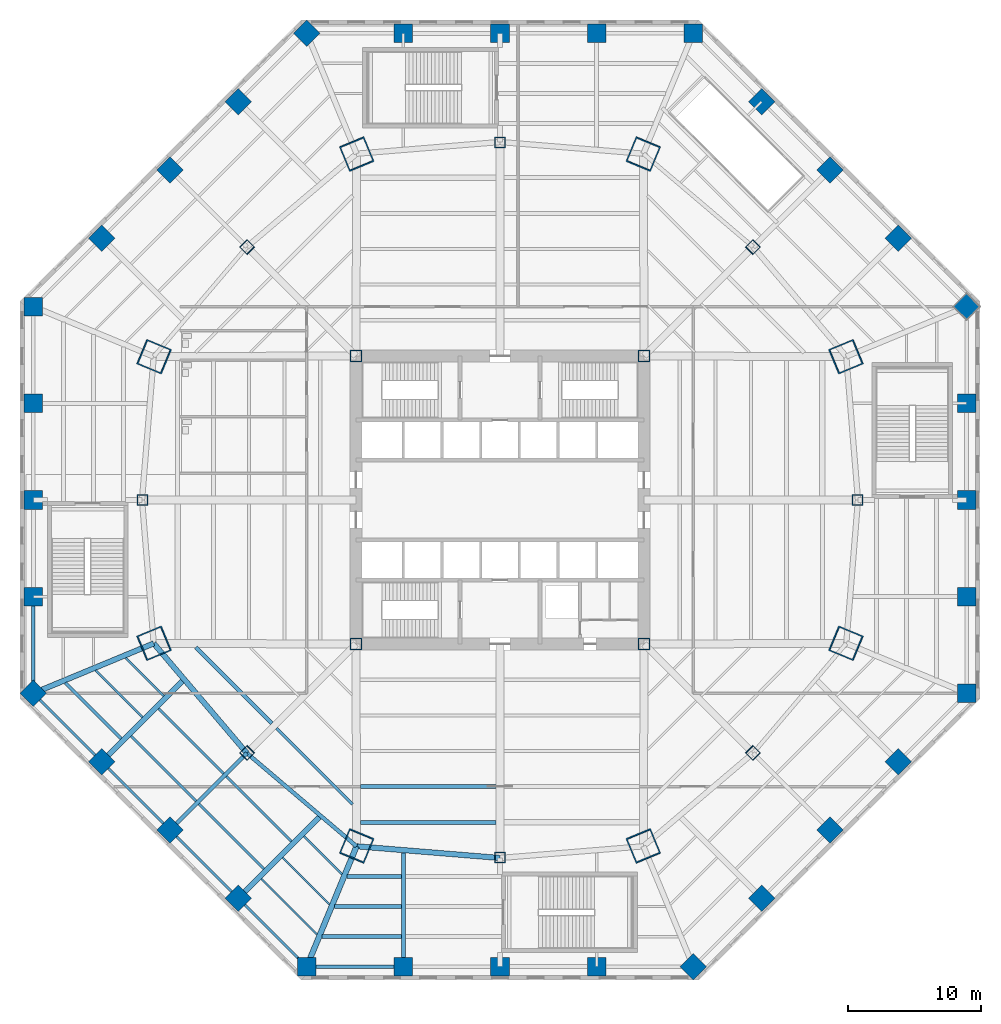
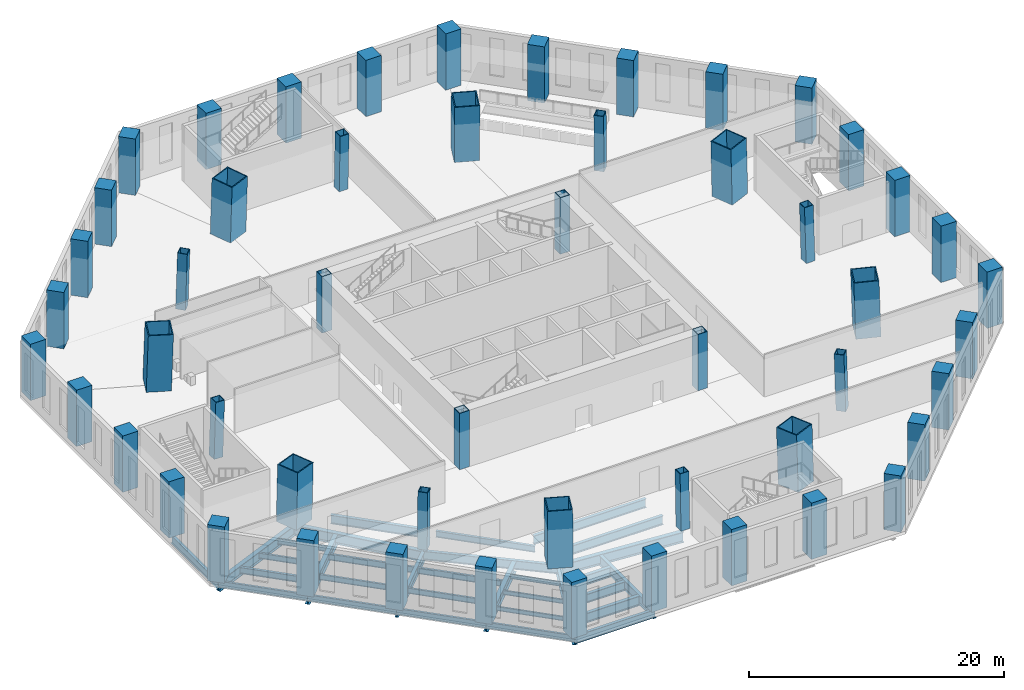
# One storey, part 1 of 18: 52 columns, 32 beams.
"""IFC4 building model written with IfcOpenShell, lengths in metres."""

from ifc_helpers import new_model, si_unit, direction, frame, origin, origin_2d, place, context, subcontext, project, spatial, rectangle, hollow_rectangle, i_section, extrude, material, material_profile, profile_set, type_object, element, save


model = new_model("IFC4")

# Units and contexts
model_context = context("Model", 3, precision=1e-05, world=origin(), true_north=direction((0.0, 1.0)))
body_context = subcontext(model_context, "Body", "Model", "MODEL_VIEW")
ifc_project = project(units=[si_unit("LENGTHUNIT", "METRE"), si_unit("AREAUNIT", "SQUARE_METRE"), si_unit("VOLUMEUNIT", "CUBIC_METRE"), si_unit("PLANEANGLEUNIT", "RADIAN"), si_unit("MASSUNIT", "GRAM", prefix="KILO")], contexts=[model_context])

# Site, building, storey
site_placement = place(None, origin())
site = spatial("IfcSite", under=ifc_project, at=site_placement, CompositionType="ELEMENT")
building_placement = place(site_placement, origin())
building = spatial("IfcBuilding", under=site, at=building_placement, Name="Mashrafa Tower", CompositionType="ELEMENT")
storey_placement = place(building_placement, frame((0.0, 0.0, 13.199951171875)))
storey = spatial("IfcBuildingStorey", under=building, at=storey_placement, Name="L02", CompositionType="ELEMENT", Elevation=13.199951171875)

# Columns
ifc_material_1 = material(Name="Steel ASTM A572 Gr 50", Category="steel")
ifc_material_profile_1 = material_profile(ifc_material_1, hollow_rectangle(XDim=0.89990234375, YDim=0.89990234375, WallThickness=0.06005859375, at=origin_2d()), Name="BOX900X900X60")
ifc_profile_set_1 = profile_set([ifc_material_profile_1], Name="Steel ASTM A572 Gr 50")
column_type_1 = type_object("IfcColumnType", Name="Core corner column BOX900X900X60", PredefinedType="COLUMN", material=ifc_profile_set_1)
for number, where, z_axis, x_axis, name in (
    (1, (10.800048828125, 10.800048828125, 0.0), (0.0, 0.0, 1.0), (1.0, 0.0, 0.0), "Core corner column CC-NE L02"),
    (2, (-10.800048828125, 10.800048828125, 0.0), (0.0, 0.0, 1.0), (1.0, 0.0, 0.0), "Core corner column CC-NW L02"),
    (3, (-10.800048828125, -10.800048828125, 0.0), (0.0, 0.0, 1.0), (1.0, 0.0, 0.0), "Core corner column CC-SW L02"),
    (4, (10.800048828125, -10.800048828125, 0.0), (0.0, 0.0, 1.0), (1.0, 0.0, 0.0), "Core corner column CC-SE L02"),
):
    element("IfcColumn", number, at=place(storey_placement, frame(where, z_axis=z_axis, x_axis=x_axis)), inside=storey, type_object=column_type_1, Name=name, PredefinedType="COLUMN", context=body_context, shape_type="SweptSolid", body=[
        extrude(hollow_rectangle(XDim=0.89990234375, YDim=0.89990234375, WallThickness=0.06005859375, at=origin_2d()), origin(), (0.0, 0.0, 1.0), 5.400146484375),
    ])
ifc_material_2 = material(Name="Steel ASTM A572 Gr 50", Category="steel")
ifc_material_profile_2 = material_profile(ifc_material_2, hollow_rectangle(XDim=2.0, YDim=2.0, WallThickness=0.090087890625, at=origin_2d()), Name="BOX2000X2000X90")
ifc_profile_set_2 = profile_set([ifc_material_profile_2], Name="Steel ASTM A572 Gr 50")
column_type_2 = type_object("IfcColumnType", Name="Mega column CFST BOX2000X2000X90", PredefinedType="COLUMN", material=ifc_profile_set_2)
for number, where, z_axis, x_axis, name in (
    (5, (25.963134765625, 10.754150390625, 0.0), (-0.028288195063, -0.011703901791, 0.999531288506), (0.3823083337, -0.92403481427, 0.0), "Mega column MC1 L02"),
    (6, (10.754150390625, 25.963134765625, 0.0), (-0.011703901791, -0.028288195063, 0.999531288506), (0.92403481427, -0.3823083337, 0.0), "Mega column MC2 L02"),
    (7, (-10.754150390625, 25.963134765625, 0.0), (0.011703901791, -0.028288195063, 0.999531288506), (0.92403481427, 0.3823083337, 0.0), "Mega column MC3 L02"),
    (8, (-25.963134765625, 10.754150390625, 0.0), (0.028288195063, -0.011703901791, 0.999531288506), (0.3823083337, 0.92403481427, 0.0), "Mega column MC4 L02"),
    (9, (-25.963134765625, -10.754150390625, 0.0), (0.028288195063, 0.011703901791, 0.999531288506), (-0.3823083337, 0.92403481427, 0.0), "Mega column MC5 L02"),
    (10, (-10.754150390625, -25.963134765625, 0.0), (0.011703901791, 0.028288195063, 0.999531288506), (-0.92403481427, 0.3823083337, 0.0), "Mega column MC6 L02"),
    (11, (10.754150390625, -25.963134765625, 0.0), (-0.011703901791, 0.028288195063, 0.999531288506), (-0.92403481427, -0.3823083337, 0.0), "Mega column MC7 L02"),
    (12, (25.963134765625, -10.754150390625, 0.0), (-0.028288195063, 0.011703901791, 0.999531288506), (-0.3823083337, -0.92403481427, 0.0), "Mega column MC8 L02"),
):
    element("IfcColumn", number, at=place(storey_placement, frame(where, z_axis=z_axis, x_axis=x_axis)), inside=storey, type_object=column_type_2, Name=name, PredefinedType="COLUMN", context=body_context, shape_type="SweptSolid", body=[
        extrude(hollow_rectangle(XDim=2.0, YDim=2.0, WallThickness=0.090087890625, at=origin_2d()), origin(), (0.0, 0.0, 1.0), 5.402587890625),
    ])
ifc_material_3 = material(Name="Concrete C50/60", Category="concrete")
ifc_material_profile_3 = material_profile(ifc_material_3, rectangle(XDim=1.39990234375, YDim=1.39990234375, at=origin_2d()), Name="RC1400X1400")
ifc_profile_set_3 = profile_set([ifc_material_profile_3], Name="Concrete C50/60")
column_type_3 = type_object("IfcColumnType", Name="Podium column RC1400X1400", PredefinedType="COLUMN", material=ifc_profile_set_3)
for number, where, z_axis, x_axis, name in (
    (13, (35.0, -14.49755859375, 0.0), (0.0, 0.0, 1.0), (1.0, 0.0, 0.0), "Podium column PC01 L02"),
    (14, (35.0, -7.248779296875, 0.0), (0.0, 0.0, 1.0), (1.0, 0.0, 0.0), "Podium column PC02 L02"),
    (15, (35.0, 0.0, 0.0), (0.0, 0.0, 1.0), (1.0, 0.0, 0.0), "Podium column PC03 L02"),
    (16, (35.0, 7.248779296875, 0.0), (0.0, 0.0, 1.0), (1.0, 0.0, 0.0), "Podium column PC04 L02"),
    (17, (35.0, 14.49755859375, 0.0), (0.0, 0.0, 1.0), (0.707106781187, 0.707106781187, 0.0), "Podium column PC05 L02"),
    (18, (29.874267578125, 19.623046875, 0.0), (0.0, 0.0, 1.0), (0.707106781187, 0.707106781187, 0.0), "Podium column PC06 L02"),
    (19, (24.748779296875, 24.748779296875, 0.0), (0.0, 0.0, 1.0), (0.707106781187, 0.707106781187, 0.0), "Podium column PC07 L02"),
    (20, (19.623046875, 29.874267578125, 0.0), (0.0, 0.0, 1.0), (0.707106781187, 0.707106781187, 0.0), "Podium column PC08 L02"),
    (21, (14.49755859375, 35.0, 0.0), (0.0, 0.0, 1.0), (1.0, 0.0, 0.0), "Podium column PC09 L02"),
    (22, (7.248779296875, 35.0, 0.0), (0.0, 0.0, 1.0), (1.0, 0.0, 0.0), "Podium column PC10 L02"),
    (23, (0.0, 35.0, 0.0), (0.0, 0.0, 1.0), (1.0, 0.0, 0.0), "Podium column PC11 L02"),
    (24, (-7.248779296875, 35.0, 0.0), (0.0, 0.0, 1.0), (1.0, 0.0, 0.0), "Podium column PC12 L02"),
    (25, (-14.49755859375, 35.0, 0.0), (0.0, 0.0, 1.0), (0.707106781187, 0.707106781187, 0.0), "Podium column PC13 L02"),
    (26, (-19.623046875, 29.874267578125, 0.0), (0.0, 0.0, 1.0), (0.707106781187, 0.707106781187, 0.0), "Podium column PC14 L02"),
    (27, (-24.748779296875, 24.748779296875, 0.0), (0.0, 0.0, 1.0), (0.707106781187, 0.707106781187, 0.0), "Podium column PC15 L02"),
    (28, (-29.874267578125, 19.623046875, 0.0), (0.0, 0.0, 1.0), (0.707106781187, 0.707106781187, 0.0), "Podium column PC16 L02"),
    (29, (-35.0, 14.49755859375, 0.0), (0.0, 0.0, 1.0), (1.0, 0.0, 0.0), "Podium column PC17 L02"),
    (30, (-35.0, 7.248779296875, 0.0), (0.0, 0.0, 1.0), (1.0, 0.0, 0.0), "Podium column PC18 L02"),
    (31, (-35.0, 0.0, 0.0), (0.0, 0.0, 1.0), (1.0, 0.0, 0.0), "Podium column PC19 L02"),
    (32, (-35.0, -7.248779296875, 0.0), (0.0, 0.0, 1.0), (1.0, 0.0, 0.0), "Podium column PC20 L02"),
    (33, (-35.0, -14.49755859375, 0.0), (0.0, 0.0, 1.0), (0.707106781187, 0.707106781187, 0.0), "Podium column PC21 L02"),
    (34, (-29.874267578125, -19.623046875, 0.0), (0.0, 0.0, 1.0), (0.707106781187, 0.707106781187, 0.0), "Podium column PC22 L02"),
    (35, (-24.748779296875, -24.748779296875, 0.0), (0.0, 0.0, 1.0), (0.707106781187, 0.707106781187, 0.0), "Podium column PC23 L02"),
    (36, (-19.623046875, -29.874267578125, 0.0), (0.0, 0.0, 1.0), (0.707106781187, 0.707106781187, 0.0), "Podium column PC24 L02"),
    (37, (-14.49755859375, -35.0, 0.0), (0.0, 0.0, 1.0), (1.0, 0.0, 0.0), "Podium column PC25 L02"),
    (38, (-7.248779296875, -35.0, 0.0), (0.0, 0.0, 1.0), (1.0, 0.0, 0.0), "Podium column PC26 L02"),
    (39, (0.0, -35.0, 0.0), (0.0, 0.0, 1.0), (1.0, 0.0, 0.0), "Podium column PC27 L02"),
    (40, (7.248779296875, -35.0, 0.0), (0.0, 0.0, 1.0), (1.0, 0.0, 0.0), "Podium column PC28 L02"),
    (41, (14.49755859375, -35.0, 0.0), (0.0, 0.0, 1.0), (0.707106781187, 0.707106781187, 0.0), "Podium column PC29 L02"),
    (42, (19.623046875, -29.874267578125, 0.0), (0.0, 0.0, 1.0), (0.707106781187, 0.707106781187, 0.0), "Podium column PC30 L02"),
    (43, (24.748779296875, -24.748779296875, 0.0), (0.0, 0.0, 1.0), (0.707106781187, 0.707106781187, 0.0), "Podium column PC31 L02"),
    (44, (29.874267578125, -19.623046875, 0.0), (0.0, 0.0, 1.0), (0.707106781187, 0.707106781187, 0.0), "Podium column PC32 L02"),
):
    element("IfcColumn", number, at=place(storey_placement, frame(where, z_axis=z_axis, x_axis=x_axis)), inside=storey, type_object=column_type_3, Name=name, PredefinedType="COLUMN", context=body_context, shape_type="SweptSolid", body=[
        extrude(rectangle(XDim=1.39990234375, YDim=1.39990234375, at=origin_2d()), origin(), (0.0, 0.0, 1.0), 5.400146484375),
    ])
ifc_material_4 = material(Name="Steel ASTM A572 Gr 50", Category="steel")
ifc_material_profile_4 = material_profile(ifc_material_4, hollow_rectangle(XDim=0.800048828125, YDim=0.800048828125, WallThickness=0.050048828125, at=origin_2d()), Name="BOX800X800X50")
ifc_profile_set_4 = profile_set([ifc_material_profile_4], Name="Steel ASTM A572 Gr 50")
column_type_4 = type_object("IfcColumnType", Name="Secondary column BOX800X800X50", PredefinedType="COLUMN", material=ifc_profile_set_4)
for number, where, z_axis, x_axis, name in (
    (45, (26.84130859375, 0.0, 0.0), (-0.028290132739, 0.0, 0.999599754096), (0.0, -1.0, 0.0), "Secondary column SC1 L02"),
    (46, (18.979736328125, 18.979736328125, 0.0), (-0.020020001347, -0.020020001347, 0.999599119193), (0.707106781187, -0.707106781187, 0.0), "Secondary column SC2 L02"),
    (47, (0.0, 26.84130859375, 0.0), (0.0, -0.028290132739, 0.999599754096), (1.0, 0.0, 0.0), "Secondary column SC3 L02"),
    (48, (-18.979736328125, 18.979736328125, 0.0), (0.020020001347, -0.020020001347, 0.999599119193), (0.707106781187, 0.707106781187, 0.0), "Secondary column SC4 L02"),
    (49, (-26.84130859375, 0.0, 0.0), (0.028290132739, 0.0, 0.999599754096), (0.0, 1.0, 0.0), "Secondary column SC5 L02"),
    (50, (-18.979736328125, -18.979736328125, 0.0), (0.020020001347, 0.020020001347, 0.999599119193), (-0.707106781187, 0.707106781187, 0.0), "Secondary column SC6 L02"),
    (51, (0.0, -26.84130859375, 0.0), (0.0, 0.028290132739, 0.999599754096), (-1.0, 0.0, 0.0), "Secondary column SC7 L02"),
    (52, (18.979736328125, -18.979736328125, 0.0), (-0.020020001347, 0.020020001347, 0.999599119193), (-0.707106781187, -0.707106781187, 0.0), "Secondary column SC8 L02"),
):
    element("IfcColumn", number, at=place(storey_placement, frame(where, z_axis=z_axis, x_axis=x_axis)), inside=storey, type_object=column_type_4, Name=name, PredefinedType="COLUMN", context=body_context, shape_type="SweptSolid", body=[
        extrude(hollow_rectangle(XDim=0.800048828125, YDim=0.800048828125, WallThickness=0.050048828125, at=origin_2d()), origin(), (0.0, 0.0, 1.0), 5.40234375),
    ])

# Beams
ifc_material_5 = material(Name="Steel ASTM A992", Category="steel")
ifc_material_profile_5 = material_profile(ifc_material_5, i_section(OverallWidth=0.140380859375, OverallDepth=0.40380859375, WebThickness=0.007080078125, FlangeThickness=0.01123046875, FilletRadius=0.01025390625, at=origin_2d()), Name="W16X31")
ifc_profile_set_5 = profile_set([ifc_material_profile_5], Name="Steel ASTM A992")
beam_type_1 = type_object("IfcBeamType", Name="Beam W16X31", PredefinedType="BEAM", material=ifc_profile_set_5)
beam_1_placement = place(storey_placement, frame((-13.722900390625, -32.58251953125, -0.501953125), z_axis=(-0.707127518976, 0.707086042789, 0.0), x_axis=(-0.707086042789, -0.707127518976, 0.0)))
element("IfcBeam", 53, at=beam_1_placement, inside=storey, type_object=beam_type_1, Name="Floor beam L02 038", PredefinedType="BEAM", context=body_context, shape_type="SweptSolid", body=[
    extrude(i_section(OverallWidth=0.140380859375, OverallDepth=0.40380859375, WebThickness=0.007080078125, FlangeThickness=0.01123046875, FilletRadius=0.01025390625, at=origin_2d()), origin(), (0.0, 0.0, 1.0), 5.88623046875),
])
beam_2_placement = place(storey_placement, frame((-12.7880859375, -30.325439453125, -0.501953125), z_axis=(-0.707106781187, 0.707106781187, 0.0), x_axis=(-0.707106781187, -0.707106781187, 0.0)))
element("IfcBeam", 54, at=beam_2_placement, inside=storey, type_object=beam_type_1, Name="Floor beam L02 044", PredefinedType="BEAM", context=body_context, shape_type="SweptSolid", body=[
    extrude(i_section(OverallWidth=0.140380859375, OverallDepth=0.40380859375, WebThickness=0.007080078125, FlangeThickness=0.01123046875, FilletRadius=0.01025390625, at=origin_2d()), origin(), (0.0, 0.0, 1.0), 4.951416015625),
])
beam_3_placement = place(storey_placement, frame((-11.85302734375, -28.068359375, -0.501953125), z_axis=(-0.707106781187, 0.707106781187, 0.0), x_axis=(-0.707106781187, -0.707106781187, 0.0)))
element("IfcBeam", 55, at=beam_3_placement, inside=storey, type_object=beam_type_1, Name="Floor beam L02 046", PredefinedType="BEAM", context=body_context, shape_type="SweptSolid", body=[
    extrude(i_section(OverallWidth=0.140380859375, OverallDepth=0.40380859375, WebThickness=0.007080078125, FlangeThickness=0.01123046875, FilletRadius=0.01025390625, at=origin_2d()), origin(), (0.0, 0.0, 1.0), 4.0166015625),
])
ifc_material_6 = material(Name="Steel ASTM A992", Category="steel")
ifc_material_profile_6 = material_profile(ifc_material_6, i_section(OverallWidth=0.1650390625, OverallDepth=0.52587890625, WebThickness=0.0087890625, FlangeThickness=0.011474609375, FilletRadius=0.0126953125, at=origin_2d()), Name="W21X44")
ifc_profile_set_6 = profile_set([ifc_material_profile_6], Name="Steel ASTM A992")
beam_type_2 = type_object("IfcBeamType", Name="Beam W21X44", PredefinedType="BEAM", material=ifc_profile_set_6)
for number, where, z_axis, x_axis, name in (
    (56, (-22.796875, -22.57958984375, -0.562744140625), (-0.707124486521, 0.707089075409, 0.0), (-0.707089075409, -0.707124486521, 0.0), "Floor beam L02 017"),
    (57, (-17.70458984375, -27.672119140625, -0.562744140625), (-0.707089075409, 0.707124486521, 0.0), (-0.707124486521, -0.707089075409, 0.0), "Floor beam L02 027"),
):
    element("IfcBeam", number, at=place(storey_placement, frame(where, z_axis=z_axis, x_axis=x_axis)), inside=storey, type_object=beam_type_2, Name=name, PredefinedType="BEAM", context=body_context, shape_type="SweptSolid", body=[
        extrude(i_section(OverallWidth=0.1650390625, OverallDepth=0.52587890625, WebThickness=0.0087890625, FlangeThickness=0.011474609375, FilletRadius=0.0126953125, at=origin_2d()), origin(), (0.0, 0.0, 1.0), 6.89453125),
    ])
ifc_material_7 = material(Name="Steel ASTM A992", Category="steel")
ifc_material_profile_7 = material_profile(ifc_material_7, i_section(OverallWidth=0.165771484375, OverallDepth=0.5283203125, WebThickness=0.009765625, FlangeThickness=0.013671875, FilletRadius=0.012939453125, at=origin_2d()), Name="W21X50")
ifc_profile_set_7 = profile_set([ifc_material_profile_7], Name="Steel ASTM A992")
beam_type_3 = type_object("IfcBeamType", Name="Beam W21X50", PredefinedType="BEAM", material=ifc_profile_set_7)
beam_4_placement = place(storey_placement, frame((-26.82421875, -16.289306640625, -0.564208984375), z_axis=(-0.707106781187, 0.707106781187, 0.0), x_axis=(-0.707106781187, -0.707106781187, 0.0)))
element("IfcBeam", 58, at=beam_4_placement, inside=storey, type_object=beam_type_3, Name="Floor beam L02 011", PredefinedType="BEAM", context=body_context, shape_type="SweptSolid", body=[
    extrude(i_section(OverallWidth=0.165771484375, OverallDepth=0.5283203125, WebThickness=0.009765625, FlangeThickness=0.013671875, FilletRadius=0.012939453125, at=origin_2d()), origin(), (0.0, 0.0, 1.0), 4.961181640625),
])
beam_5_placement = place(storey_placement, frame((-25.228271484375, -14.693115234375, -0.564208984375), z_axis=(-0.707106781187, 0.707106781187, 0.0), x_axis=(-0.707106781187, -0.707106781187, 0.0)))
element("IfcBeam", 59, at=beam_5_placement, inside=storey, type_object=beam_type_3, Name="Floor beam L02 013", PredefinedType="BEAM", context=body_context, shape_type="SweptSolid", body=[
    extrude(i_section(OverallWidth=0.165771484375, OverallDepth=0.5283203125, WebThickness=0.009765625, FlangeThickness=0.013671875, FilletRadius=0.012939453125, at=origin_2d()), origin(), (0.0, 0.0, 1.0), 4.026123046875),
])
ifc_material_8 = material(Name="Steel ASTM A992", Category="steel")
ifc_material_profile_8 = material_profile(ifc_material_8, i_section(OverallWidth=0.177978515625, OverallDepth=0.599365234375, WebThickness=0.010009765625, FlangeThickness=0.012939453125, FilletRadius=0.012939453125, at=origin_2d()), Name="W24X55")
ifc_profile_set_8 = profile_set([ifc_material_profile_8], Name="Steel ASTM A992")
beam_type_4 = type_object("IfcBeamType", Name="Beam W24X55", PredefinedType="BEAM", material=ifc_profile_set_8)
for number, where, z_axis, x_axis, name in (
    (60, (-20.736572265625, -20.51904296875, -0.599609375), (-0.707106781187, 0.707106781187, 0.0), (-0.707106781187, -0.707106781187, 0.0), "Floor beam L02 021"),
    (61, (-15.64404296875, -25.611572265625, -0.599609375), (-0.707106781187, 0.707106781187, 0.0), (-0.707106781187, -0.707106781187, 0.0), "Floor beam L02 033"),
):
    element("IfcBeam", number, at=place(storey_placement, frame(where, z_axis=z_axis, x_axis=x_axis)), inside=storey, type_object=beam_type_4, Name=name, PredefinedType="BEAM", context=body_context, shape_type="SweptSolid", body=[
        extrude(i_section(OverallWidth=0.177978515625, OverallDepth=0.599365234375, WebThickness=0.010009765625, FlangeThickness=0.012939453125, FilletRadius=0.012939453125, at=origin_2d()), origin(), (0.0, 0.0, 1.0), 6.894287109375),
    ])
beam_6_placement = place(storey_placement, frame((-35.0, -14.49755859375, -0.599609375), z_axis=(0.707106781187, -0.707106781187, 0.0), x_axis=(0.707106781187, 0.707106781187, 0.0)))
element("IfcBeam", 62, at=beam_6_placement, inside=storey, type_object=beam_type_4, Name="Podium edge beam L02 124", PredefinedType="BEAM", context=body_context, shape_type="SweptSolid", body=[
    extrude(i_section(OverallWidth=0.177978515625, OverallDepth=0.599365234375, WebThickness=0.010009765625, FlangeThickness=0.012939453125, FilletRadius=0.012939453125, at=origin_2d()), origin(), (0.0, 0.0, 1.0), 7.24853515625),
])
for number, where, z_axis, x_axis, name in (
    (63, (-29.87451171875, -19.623046875, -0.599609375), (0.707106781187, -0.707106781187, 0.0), (0.707106781187, 0.707106781187, 0.0), "Podium edge beam L02 129"),
    (64, (-24.748779296875, -24.748779296875, -0.599609375), (0.707106781187, -0.707106781187, 0.0), (0.707106781187, 0.707106781187, 0.0), "Podium edge beam L02 131"),
):
    element("IfcBeam", number, at=place(storey_placement, frame(where, z_axis=z_axis, x_axis=x_axis)), inside=storey, type_object=beam_type_4, Name=name, PredefinedType="BEAM", context=body_context, shape_type="SweptSolid", body=[
        extrude(i_section(OverallWidth=0.177978515625, OverallDepth=0.599365234375, WebThickness=0.010009765625, FlangeThickness=0.012939453125, FilletRadius=0.012939453125, at=origin_2d()), origin(), (0.0, 0.0, 1.0), 7.248779296875),
    ])
beam_7_placement = place(storey_placement, frame((-19.623046875, -29.87451171875, -0.599609375), z_axis=(0.707106781187, -0.707106781187, 0.0), x_axis=(0.707106781187, 0.707106781187, 0.0)))
element("IfcBeam", 65, at=beam_7_placement, inside=storey, type_object=beam_type_4, Name="Podium edge beam L02 133", PredefinedType="BEAM", context=body_context, shape_type="SweptSolid", body=[
    extrude(i_section(OverallWidth=0.177978515625, OverallDepth=0.599365234375, WebThickness=0.010009765625, FlangeThickness=0.012939453125, FilletRadius=0.012939453125, at=origin_2d()), origin(), (0.0, 0.0, 1.0), 7.24853515625),
])
ifc_material_9 = material(Name="Steel ASTM A992", Category="steel")
ifc_material_profile_9 = material_profile(ifc_material_9, i_section(OverallWidth=0.227783203125, OverallDepth=0.60205078125, WebThickness=0.010498046875, FlangeThickness=0.014892578125, FilletRadius=0.012939453125, at=origin_2d()), Name="W24X68")
ifc_profile_set_9 = profile_set([ifc_material_profile_9], Name="Steel ASTM A992")
beam_type_5 = type_object("IfcBeamType", Name="Beam W24X68", PredefinedType="BEAM", material=ifc_profile_set_9)
beam_8_placement = place(storey_placement, frame((-28.42041015625, -17.88525390625, -0.600830078125), z_axis=(-0.707106781187, 0.707106781187, 0.0), x_axis=(-0.707106781187, -0.707106781187, 0.0)))
element("IfcBeam", 66, at=beam_8_placement, inside=storey, type_object=beam_type_5, Name="Floor beam L02 007", PredefinedType="BEAM", context=body_context, shape_type="SweptSolid", body=[
    extrude(i_section(OverallWidth=0.227783203125, OverallDepth=0.60205078125, WebThickness=0.010498046875, FlangeThickness=0.014892578125, FilletRadius=0.012939453125, at=origin_2d()), origin(), (0.0, 0.0, 1.0), 5.895751953125),
])
beam_9_placement = place(storey_placement, frame((-11.066650390625, -22.81201171875, -0.600830078125), z_axis=(-0.707106781187, 0.707106781187, 0.0), x_axis=(-0.707106781187, -0.707106781187, 0.0)))
element("IfcBeam", 67, at=beam_9_placement, inside=storey, type_object=beam_type_5, Name="Floor beam L02 053", PredefinedType="BEAM", context=body_context, shape_type="SweptSolid", body=[
    extrude(i_section(OverallWidth=0.227783203125, OverallDepth=0.60205078125, WebThickness=0.010498046875, FlangeThickness=0.014892578125, FilletRadius=0.012939453125, at=origin_2d()), origin(), (0.0, 0.0, 1.0), 8.05517578125),
])
ifc_material_10 = material(Name="Steel ASTM A992", Category="steel")
ifc_material_profile_10 = material_profile(ifc_material_10, i_section(OverallWidth=0.2666015625, OverallDepth=0.75439453125, WebThickness=0.01318359375, FlangeThickness=0.01708984375, FilletRadius=0.0166015625, at=origin_2d()), Name="W30X99")
ifc_profile_set_10 = profile_set([ifc_material_profile_10], Name="Steel ASTM A992")
beam_type_6 = type_object("IfcBeamType", Name="Beam W30X99", PredefinedType="BEAM", material=ifc_profile_set_10)
for number, where, z_axis, x_axis, name in (
    (68, (-35.0, -7.248779296875, -0.67724609375), (0.0, -1.0, 0.0), (1.0, 0.0, 0.0), "Podium edge beam L02 125"),
    (69, (-14.49755859375, -35.0, -0.67724609375), (1.0, 0.0, 0.0), (0.0, 1.0, 0.0), "Podium edge beam L02 135"),
):
    element("IfcBeam", number, at=place(storey_placement, frame(where, z_axis=z_axis, x_axis=x_axis)), inside=storey, type_object=beam_type_6, Name=name, PredefinedType="BEAM", context=body_context, shape_type="SweptSolid", body=[
        extrude(i_section(OverallWidth=0.2666015625, OverallDepth=0.75439453125, WebThickness=0.01318359375, FlangeThickness=0.01708984375, FilletRadius=0.0166015625, at=origin_2d()), origin(), (0.0, 0.0, 1.0), 7.248779296875),
    ])
ifc_material_11 = material(Name="Steel ASTM A992", Category="steel")
ifc_material_profile_11 = material_profile(ifc_material_11, i_section(OverallWidth=0.2919921875, OverallDepth=0.8408203125, WebThickness=0.0146484375, FlangeThickness=0.021728515625, FilletRadius=0.017333984375, at=origin_2d()), Name="W33X130")
ifc_profile_set_11 = profile_set([ifc_material_profile_11], Name="Steel ASTM A992")
beam_type_7 = type_object("IfcBeamType", Name="Beam W33X130", PredefinedType="BEAM", material=ifc_profile_set_11)
beam_10_placement = place(storey_placement, frame((-17.1162109375, -16.762451171875, -0.72021484375), z_axis=(-0.707106781187, 0.707106781187, 0.0), x_axis=(-0.707106781187, -0.707106781187, 0.0)))
element("IfcBeam", 70, at=beam_10_placement, inside=storey, type_object=beam_type_7, Name="Floor beam L02 028", PredefinedType="BEAM", context=body_context, shape_type="SweptSolid", body=[
    extrude(i_section(OverallWidth=0.2919921875, OverallDepth=0.8408203125, WebThickness=0.0146484375, FlangeThickness=0.021728515625, FilletRadius=0.017333984375, at=origin_2d()), origin(), (0.0, 0.0, 1.0), 8.05517578125),
])
beam_11_placement = place(storey_placement, frame((-18.985595703125, -18.985595703125, -0.72021484375), z_axis=(0.762283550977, -0.647243221602, 0.0), x_axis=(0.647243221602, 0.762283550977, 0.0)))
element("IfcBeam", 71, at=beam_11_placement, inside=storey, type_object=beam_type_7, Name="Podium ring girder L02 200", PredefinedType="BEAM", context=body_context, shape_type="SweptSolid", body=[
    extrude(i_section(OverallWidth=0.2919921875, OverallDepth=0.8408203125, WebThickness=0.0146484375, FlangeThickness=0.021728515625, FilletRadius=0.017333984375, at=origin_2d()), origin(), (0.0, 0.0, 1.0), 10.793701171875),
])
ifc_material_12 = material(Name="Steel ASTM A992", Category="steel")
ifc_material_profile_12 = material_profile(ifc_material_12, i_section(OverallWidth=0.2919921875, OverallDepth=0.845703125, WebThickness=0.015380859375, FlangeThickness=0.0244140625, FilletRadius=0.017333984375, at=origin_2d()), Name="W33X141")
ifc_profile_set_12 = profile_set([ifc_material_profile_12], Name="Steel ASTM A992")
beam_type_8 = type_object("IfcBeamType", Name="Beam W33X141", PredefinedType="BEAM", material=ifc_profile_set_12)
beam_12_placement = place(storey_placement, frame((-0.300048828125, -21.5, -0.722900390625), z_axis=(-1.0, 0.0, 0.0), x_axis=(0.0, -1.0, 0.0)))
element("IfcBeam", 72, at=beam_12_placement, inside=storey, type_object=beam_type_8, Name="Floor beam L02 059", PredefinedType="BEAM", context=body_context, shape_type="SweptSolid", body=[
    extrude(i_section(OverallWidth=0.2919921875, OverallDepth=0.845703125, WebThickness=0.015380859375, FlangeThickness=0.0244140625, FilletRadius=0.017333984375, at=origin_2d()), origin(), (0.0, 0.0, 1.0), 10.170166015625),
])
ifc_material_13 = material(Name="Steel ASTM A992", Category="steel")
ifc_material_profile_13 = material_profile(ifc_material_13, i_section(OverallWidth=0.2919921875, OverallDepth=0.8583984375, WebThickness=0.01708984375, FlangeThickness=0.031005859375, FilletRadius=0.017822265625, at=origin_2d()), Name="W33X169")
ifc_profile_set_13 = profile_set([ifc_material_profile_13], Name="Steel ASTM A992")
beam_type_9 = type_object("IfcBeamType", Name="Beam W33X169", PredefinedType="BEAM", material=ifc_profile_set_13)
beam_13_placement = place(storey_placement, frame((-0.300048828125, -24.1748046875, -0.729248046875), z_axis=(-1.0, 0.0, 0.0), x_axis=(0.0, -1.0, 0.0)))
element("IfcBeam", 73, at=beam_13_placement, inside=storey, type_object=beam_type_9, Name="Floor beam L02 058", PredefinedType="BEAM", context=body_context, shape_type="SweptSolid", body=[
    extrude(i_section(OverallWidth=0.2919921875, OverallDepth=0.8583984375, WebThickness=0.01708984375, FlangeThickness=0.031005859375, FilletRadius=0.017822265625, at=origin_2d()), origin(), (0.0, 0.0, 1.0), 10.162841796875),
])
beam_14_placement = place(storey_placement, frame((-7.40234375, -30.48583984375, -0.729248046875), z_axis=(-1.0, 0.0, 0.0), x_axis=(0.0, -1.0, 0.0)))
element("IfcBeam", 74, at=beam_14_placement, inside=storey, type_object=beam_type_9, Name="Floor beam L02 069 part 2", PredefinedType="BEAM", context=body_context, shape_type="SweptSolid", body=[
    extrude(i_section(OverallWidth=0.2919921875, OverallDepth=0.8583984375, WebThickness=0.01708984375, FlangeThickness=0.031005859375, FilletRadius=0.017822265625, at=origin_2d()), origin(), (0.0, 0.0, 1.0), 4.99853515625),
])
ifc_material_14 = material(Name="Steel ASTM A992", Category="steel")
ifc_material_profile_14 = material_profile(ifc_material_14, i_section(OverallWidth=0.307373046875, OverallDepth=0.927001953125, WebThickness=0.01953125, FlangeThickness=0.031982421875, FilletRadius=0.01904296875, at=origin_2d()), Name="W36X194")
ifc_profile_set_14 = profile_set([ifc_material_profile_14], Name="Steel ASTM A992")
beam_type_10 = type_object("IfcBeamType", Name="Beam W36X194", PredefinedType="BEAM", material=ifc_profile_set_14)
beam_15_placement = place(storey_placement, frame((-7.40234375, -32.742919921875, -0.763427734375), z_axis=(-1.0, 0.0, 0.0), x_axis=(0.0, -1.0, 0.0)))
element("IfcBeam", 75, at=beam_15_placement, inside=storey, type_object=beam_type_10, Name="Floor beam L02 068 part 2", PredefinedType="BEAM", context=body_context, shape_type="SweptSolid", body=[
    extrude(i_section(OverallWidth=0.307373046875, OverallDepth=0.927001953125, WebThickness=0.01953125, FlangeThickness=0.031982421875, FilletRadius=0.01904296875, at=origin_2d()), origin(), (0.0, 0.0, 1.0), 5.933349609375),
])
beam_16_placement = place(storey_placement, frame((-7.40234375, -28.228759765625, -0.763427734375), z_axis=(-1.0, 0.0, 0.0), x_axis=(0.0, -1.0, 0.0)))
element("IfcBeam", 76, at=beam_16_placement, inside=storey, type_object=beam_type_10, Name="Floor beam L02 070 part 2", PredefinedType="BEAM", context=body_context, shape_type="SweptSolid", body=[
    extrude(i_section(OverallWidth=0.307373046875, OverallDepth=0.927001953125, WebThickness=0.01953125, FlangeThickness=0.031982421875, FilletRadius=0.01904296875, at=origin_2d()), origin(), (0.0, 0.0, 1.0), 4.0634765625),
])
beam_17_placement = place(storey_placement, frame((-18.985595703125, -18.985595703125, -0.763427734375), z_axis=(-0.707106781187, -0.707106781187, 0.0), x_axis=(0.707106781187, -0.707106781187, 0.0)))
element("IfcBeam", 77, at=beam_17_placement, inside=storey, type_object=beam_type_10, Name="Podium radial beam L02 165", PredefinedType="BEAM", context=body_context, shape_type="SweptSolid", body=[
    extrude(i_section(OverallWidth=0.307373046875, OverallDepth=0.927001953125, WebThickness=0.01953125, FlangeThickness=0.031982421875, FilletRadius=0.01904296875, at=origin_2d()), origin(), (0.0, 0.0, 1.0), 8.150390625),
])
beam_18_placement = place(storey_placement, frame((-7.248779296875, -26.45947265625, -0.763427734375), z_axis=(0.0, -1.0, 0.0), x_axis=(1.0, 0.0, 0.0)))
element("IfcBeam", 78, at=beam_18_placement, inside=storey, type_object=beam_type_10, Name="Podium radial beam L02 171", PredefinedType="BEAM", context=body_context, shape_type="SweptSolid", body=[
    extrude(i_section(OverallWidth=0.307373046875, OverallDepth=0.927001953125, WebThickness=0.01953125, FlangeThickness=0.031982421875, FilletRadius=0.01904296875, at=origin_2d()), origin(), (0.0, 0.0, 1.0), 8.54052734375),
])
ifc_material_15 = material(Name="Steel ASTM A992", Category="steel")
ifc_material_profile_15 = material_profile(ifc_material_15, i_section(OverallWidth=0.419189453125, OverallDepth=0.927001953125, WebThickness=0.019287109375, FlangeThickness=0.031982421875, FilletRadius=0.020263671875, at=origin_2d()), Name="W36X231")
ifc_profile_set_15 = profile_set([ifc_material_profile_15], Name="Steel ASTM A992")
beam_type_11 = type_object("IfcBeamType", Name="Beam W36X231", PredefinedType="BEAM", material=ifc_profile_set_15)
beam_19_placement = place(storey_placement, frame((-10.7578125, -25.9716796875, -0.763427734375), z_axis=(-0.382691588167, -0.923876154225, 0.0), x_axis=(0.923876154225, -0.382691588167, 0.0)))
element("IfcBeam", 79, at=beam_19_placement, inside=storey, type_object=beam_type_11, Name="Podium radial beam L02 169", PredefinedType="BEAM", context=body_context, shape_type="SweptSolid", body=[
    extrude(i_section(OverallWidth=0.419189453125, OverallDepth=0.927001953125, WebThickness=0.019287109375, FlangeThickness=0.031982421875, FilletRadius=0.020263671875, at=origin_2d()), origin(), (0.0, 0.0, 1.0), 9.772216796875),
])
ifc_material_16 = material(Name="Steel ASTM A992", Category="steel")
ifc_material_profile_16 = material_profile(ifc_material_16, i_section(OverallWidth=0.4013671875, OverallDepth=0.98291015625, WebThickness=0.0166015625, FlangeThickness=0.027099609375, FilletRadius=0.0126953125, at=origin_2d()), Name="W40X199")
ifc_profile_set_16 = profile_set([ifc_material_profile_16], Name="Steel ASTM A992")
beam_type_12 = type_object("IfcBeamType", Name="Beam W40X199", PredefinedType="BEAM", material=ifc_profile_set_16)
beam_20_placement = place(storey_placement, frame((-23.835205078125, -13.583984375, -0.79150390625), z_axis=(-0.707121073824, -0.707092488261, 0.0), x_axis=(0.707092488261, -0.707121073824, 0.0)))
element("IfcBeam", 80, at=beam_20_placement, inside=storey, type_object=beam_type_12, Name="Podium radial beam L02 163", PredefinedType="BEAM", context=body_context, shape_type="SweptSolid", body=[
    extrude(i_section(OverallWidth=0.4013671875, OverallDepth=0.98291015625, WebThickness=0.0166015625, FlangeThickness=0.027099609375, FilletRadius=0.0126953125, at=origin_2d()), origin(), (0.0, 0.0, 1.0), 8.540771484375),
])
beam_21_placement = place(storey_placement, frame((-13.545166015625, -23.79638671875, -0.79150390625), z_axis=(-0.707092579546, -0.707120982542, 0.0), x_axis=(0.707120982542, -0.707092579546, 0.0)))
element("IfcBeam", 81, at=beam_21_placement, inside=storey, type_object=beam_type_12, Name="Podium radial beam L02 167", PredefinedType="BEAM", context=body_context, shape_type="SweptSolid", body=[
    extrude(i_section(OverallWidth=0.4013671875, OverallDepth=0.98291015625, WebThickness=0.0166015625, FlangeThickness=0.027099609375, FilletRadius=0.0126953125, at=origin_2d()), origin(), (0.0, 0.0, 1.0), 8.595703125),
])
ifc_material_17 = material(Name="Steel ASTM A992", Category="steel")
ifc_material_profile_17 = material_profile(ifc_material_17, i_section(OverallWidth=0.4013671875, OverallDepth=1.010986328125, WebThickness=0.023681640625, FlangeThickness=0.0419921875, FilletRadius=0.02001953125, at=origin_2d()), Name="W40X297")
ifc_profile_set_17 = profile_set([ifc_material_profile_17], Name="Steel ASTM A992")
beam_type_13 = type_object("IfcBeamType", Name="Beam W40X297", PredefinedType="BEAM", material=ifc_profile_set_17)
beam_22_placement = place(storey_placement, frame((-25.9716796875, -10.7578125, -0.805419921875), z_axis=(-0.923876154225, -0.382691588167, 0.0), x_axis=(0.382691588167, -0.923876154225, 0.0)))
element("IfcBeam", 82, at=beam_22_placement, inside=storey, type_object=beam_type_13, Name="Podium radial beam L02 161", PredefinedType="BEAM", context=body_context, shape_type="SweptSolid", body=[
    extrude(i_section(OverallWidth=0.4013671875, OverallDepth=1.010986328125, WebThickness=0.023681640625, FlangeThickness=0.0419921875, FilletRadius=0.02001953125, at=origin_2d()), origin(), (0.0, 0.0, 1.0), 9.772216796875),
])
for number, where, z_axis, x_axis, name in (
    (83, (-25.9716796875, -10.7578125, -0.805419921875), (0.647243221602, -0.762283550977, 0.0), (0.762283550977, 0.647243221602, 0.0), "Podium ring girder L02 198"),
    (84, (-10.7578125, -25.9716796875, -0.805419921875), (0.996684728121, -0.081360633784, 0.0), (0.081360633784, 0.996684728121, 0.0), "Podium ring girder L02 202"),
):
    element("IfcBeam", number, at=place(storey_placement, frame(where, z_axis=z_axis, x_axis=x_axis)), inside=storey, type_object=beam_type_13, Name=name, PredefinedType="BEAM", context=body_context, shape_type="SweptSolid", body=[
        extrude(i_section(OverallWidth=0.4013671875, OverallDepth=1.010986328125, WebThickness=0.023681640625, FlangeThickness=0.0419921875, FilletRadius=0.02001953125, at=origin_2d()), origin(), (0.0, 0.0, 1.0), 10.793701171875),
    ])

save(model, "model.ifc")
